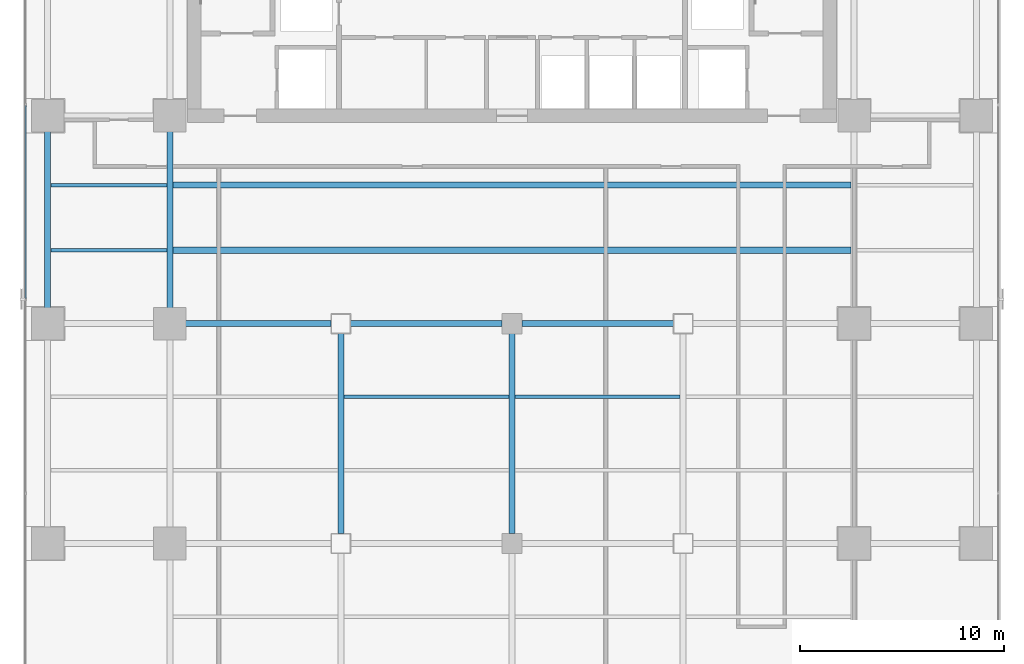
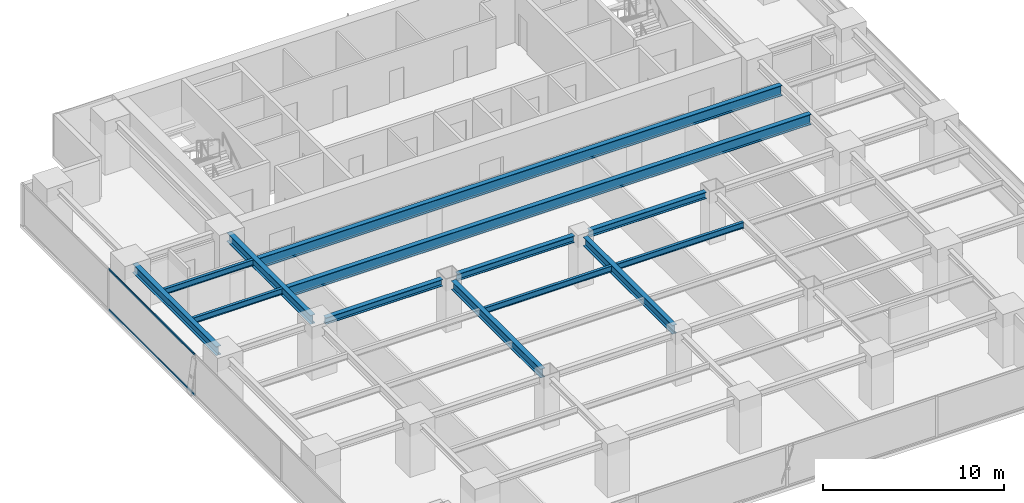
# One storey, part 8 of 27: 13 beams, 2 members, 1 element without a shape of its own.
"""IFC4 building model written with IfcOpenShell, lengths in metres."""

from ifc_helpers import new_model, si_unit, direction, frame, origin, origin_2d, place, context, subcontext, project, spatial, hollow_rectangle, i_section, extrude, source, transform, mapped, material, layer, layer_set, material_profile, profile_set, type_object, element, aggregate, save


model = new_model("IFC4")

# Units and contexts
model_context = context("Model", 3, precision=1e-05, world=origin(), true_north=direction((0.0, 1.0)))
body_context = subcontext(model_context, "Body", "Model", "MODEL_VIEW")
ifc_project = project(units=[si_unit("LENGTHUNIT", "METRE"), si_unit("AREAUNIT", "SQUARE_METRE"), si_unit("VOLUMEUNIT", "CUBIC_METRE"), si_unit("PLANEANGLEUNIT", "RADIAN"), si_unit("MASSUNIT", "GRAM", prefix="KILO")], contexts=[model_context])

# Site, building, storey
site_placement = place(None, origin())
site = spatial("IfcSite", under=ifc_project, at=site_placement, CompositionType="ELEMENT")
building_placement = place(site_placement, origin())
building = spatial("IfcBuilding", under=site, at=building_placement, Name="Sumidabori Civic Tower", CompositionType="ELEMENT")
storey_placement = place(building_placement, frame((0.0, 0.0, 164.0)))
storey = spatial("IfcBuildingStorey", under=building, at=storey_placement, Name="L42", CompositionType="ELEMENT", Elevation=164.0)

# Beams
ifc_material_1 = material(Name="Steel SN490", Category="steel")
ifc_material_profile_1 = material_profile(ifc_material_1, i_section(OverallWidth=0.300048828125, OverallDepth=0.60009765625, WebThickness=0.015380859375, FlangeThickness=0.030029296875, at=origin_2d()), Name="HE 600 B")
ifc_profile_set_1 = profile_set([ifc_material_profile_1], Name="Steel SN490")
beam_type_1 = type_object("IfcBeamType", Name="BM-GIRD-600", PredefinedType="BEAM", material=ifc_profile_set_1)
shared_shape_1 = source(origin(), body_context, "Body", "SweptSolid", [
    extrude(i_section(OverallWidth=0.300048828125, OverallDepth=0.60009765625, WebThickness=0.015380859375, FlangeThickness=0.030029296875, at=origin_2d()), origin(), (0.0, 0.0, 1.0), 9.840087890625),
])
for number, where, z_axis, x_axis, name in (
    (1, (-8.39990234375, -10.320068359375, 3.080078125), (0.0, 1.0, 0.0), (-1.0, 0.0, 0.0), "Primary Girder L42 GY-27"),
    (2, (0.0, -10.320068359375, 3.080078125), (0.0, 1.0, 0.0), (-1.0, 0.0, 0.0), "Primary Girder L42 GY-29"),
):
    element("IfcBeam", number, at=place(storey_placement, frame(where, z_axis=z_axis, x_axis=x_axis)), inside=storey, type_object=beam_type_1, Name=name, PredefinedType="BEAM", context=body_context, shape_type="MappedRepresentation", body=[
        mapped(shared_shape_1, transform((0.0, 0.0, 0.0), x_axis=(1.0, 0.0, 0.0), y_axis=(0.0, 1.0, 0.0), z_axis=(0.0, 0.0, 1.0), scale=1.0)),
    ])
shared_shape_2 = source(origin(), body_context, "Body", "SweptSolid", [
    extrude(i_section(OverallWidth=0.300048828125, OverallDepth=0.60009765625, WebThickness=0.015380859375, FlangeThickness=0.030029296875, at=origin_2d()), origin(), (0.0, 0.0, 1.0), 9.239990234375),
])
for number, where, z_axis, x_axis, name in (
    (3, (-22.800048828125, 0.47998046875, 3.080078125), (0.0, 1.0, 0.0), (-1.0, 0.0, 0.0), "Primary Girder L42 GY-20"),
    (4, (-16.800048828125, 0.47998046875, 3.080078125), (0.0, 1.0, 0.0), (-1.0, 0.0, 0.0), "Primary Girder L42 GY-24"),
):
    element("IfcBeam", number, at=place(storey_placement, frame(where, z_axis=z_axis, x_axis=x_axis)), inside=storey, type_object=beam_type_1, Name=name, PredefinedType="BEAM", context=body_context, shape_type="MappedRepresentation", body=[
        mapped(shared_shape_2, transform((0.0, 0.0, 0.0), x_axis=(1.0, 0.0, 0.0), y_axis=(0.0, 1.0, 0.0), z_axis=(0.0, 0.0, 1.0), scale=1.0)),
    ])
ifc_material_profile_2 = material_profile(ifc_material_1, i_section(OverallWidth=0.300048828125, OverallDepth=0.699951171875, WebThickness=0.01708984375, FlangeThickness=0.031982421875, at=origin_2d()), Name="HE 700 B")
ifc_profile_set_2 = profile_set([ifc_material_profile_2], Name="Steel SN490")
beam_type_2 = type_object("IfcBeamType", Name="BM-GIRD-700", PredefinedType="BEAM", material=ifc_profile_set_2)
shared_shape_3 = source(origin(), body_context, "Body", "SweptSolid", [
    extrude(i_section(OverallWidth=0.300048828125, OverallDepth=0.699951171875, WebThickness=0.01708984375, FlangeThickness=0.031982421875, at=origin_2d()), origin(), (0.0, 0.0, 1.0), 33.2998046875),
])
for number, where, z_axis, x_axis, name in (
    (5, (-16.64990234375, 3.60009765625, 3.030029296875), (1.0, 0.0, 0.0), (0.0, 1.0, 0.0), "North Bay Floor Beam L42 JSTN-47"),
    (6, (-16.64990234375, 6.800048828125, 3.030029296875), (1.0, 0.0, 0.0), (0.0, 1.0, 0.0), "North Bay Floor Beam L42 JSTN-48"),
):
    element("IfcBeam", number, at=place(storey_placement, frame(where, z_axis=z_axis, x_axis=x_axis)), inside=storey, type_object=beam_type_2, Name=name, PredefinedType="BEAM", context=body_context, shape_type="MappedRepresentation", body=[
        mapped(shared_shape_3, transform((0.0, 0.0, 0.0), x_axis=(1.0, 0.0, 0.0), y_axis=(0.0, 1.0, 0.0), z_axis=(0.0, 0.0, 1.0), scale=1.0)),
    ])
ifc_material_profile_3 = material_profile(ifc_material_1, i_section(OverallWidth=0.179931640625, OverallDepth=0.39990234375, WebThickness=0.008544921875, FlangeThickness=0.013427734375, at=origin_2d()), Name="IPE 400")
ifc_profile_set_3 = profile_set([ifc_material_profile_3], Name="Steel SN490")
beam_type_3 = type_object("IfcBeamType", Name="BM-JST-400", PredefinedType="JOIST", material=ifc_profile_set_3)
shared_shape_4 = source(origin(), body_context, "Body", "SweptSolid", [
    extrude(i_section(OverallWidth=0.179931640625, OverallDepth=0.39990234375, WebThickness=0.008544921875, FlangeThickness=0.013427734375, at=origin_2d()), origin(), (0.0, 0.0, 1.0), 5.699951171875),
])
for number, where, z_axis, x_axis, name in (
    (7, (-22.64990234375, 3.60009765625, 3.179931640625), (1.0, 0.0, 0.0), (0.0, 1.0, 0.0), "Outer Bay Floor Joist L42 JSTO-43"),
    (8, (-22.64990234375, 6.800048828125, 3.179931640625), (1.0, 0.0, 0.0), (0.0, 1.0, 0.0), "Outer Bay Floor Joist L42 JSTO-45"),
):
    element("IfcBeam", number, at=place(storey_placement, frame(where, z_axis=z_axis, x_axis=x_axis)), inside=storey, type_object=beam_type_3, Name=name, PredefinedType="JOIST", context=body_context, shape_type="MappedRepresentation", body=[
        mapped(shared_shape_4, transform((0.0, 0.0, 0.0), x_axis=(1.0, 0.0, 0.0), y_axis=(0.0, 1.0, 0.0), z_axis=(0.0, 0.0, 1.0), scale=1.0)),
    ])
shared_shape_5 = source(origin(), body_context, "Body", "SweptSolid", [
    extrude(i_section(OverallWidth=0.179931640625, OverallDepth=0.39990234375, WebThickness=0.008544921875, FlangeThickness=0.013427734375, at=origin_2d()), origin(), (0.0, 0.0, 1.0), 8.10009765625),
])
for number, where, z_axis, x_axis, name in (
    (9, (-8.25, -3.60009765625, 3.179931640625), (1.0, 0.0, 0.0), (0.0, 1.0, 0.0), "South Bay Floor Joist L42 JSTS-58"),
    (10, (0.14990234375, -3.60009765625, 3.179931640625), (1.0, 0.0, 0.0), (0.0, 1.0, 0.0), "South Bay Floor Joist L42 JSTS-59"),
):
    element("IfcBeam", number, at=place(storey_placement, frame(where, z_axis=z_axis, x_axis=x_axis)), inside=storey, type_object=beam_type_3, Name=name, PredefinedType="JOIST", context=body_context, shape_type="MappedRepresentation", body=[
        mapped(shared_shape_5, transform((0.0, 0.0, 0.0), x_axis=(1.0, 0.0, 0.0), y_axis=(0.0, 1.0, 0.0), z_axis=(0.0, 0.0, 1.0), scale=1.0)),
    ])
ifc_material_profile_4 = material_profile(ifc_material_1, i_section(OverallWidth=0.300048828125, OverallDepth=0.449951171875, WebThickness=0.013916015625, FlangeThickness=0.02587890625, at=origin_2d()), Name="HE 450 B")
ifc_profile_set_4 = profile_set([ifc_material_profile_4], Name="Steel SN490")
beam_type_4 = type_object("IfcBeamType", Name="BM-GIRD-450", PredefinedType="BEAM", material=ifc_profile_set_4)
shared_shape_6 = source(origin(), body_context, "Body", "SweptSolid", [
    extrude(i_section(OverallWidth=0.300048828125, OverallDepth=0.449951171875, WebThickness=0.013916015625, FlangeThickness=0.02587890625, at=origin_2d()), origin(), (0.0, 0.0, 1.0), 7.440185546875),
])
beam_placement = place(storey_placement, frame((-16.320068359375, 0.0, 3.155029296875), z_axis=(1.0, 0.0, 0.0), x_axis=(0.0, 1.0, 0.0)))
element("IfcBeam", 11, at=beam_placement, inside=storey, type_object=beam_type_4, Name="Primary Girder L42 GX-12", PredefinedType="BEAM", context=body_context, shape_type="MappedRepresentation", body=[
    mapped(shared_shape_6, transform((0.0, 0.0, 0.0), x_axis=(1.0, 0.0, 0.0), y_axis=(0.0, 1.0, 0.0), z_axis=(0.0, 0.0, 1.0), scale=1.0)),
])
shared_shape_7 = source(origin(), body_context, "Body", "SweptSolid", [
    extrude(i_section(OverallWidth=0.300048828125, OverallDepth=0.449951171875, WebThickness=0.013916015625, FlangeThickness=0.02587890625, at=origin_2d()), origin(), (0.0, 0.0, 1.0), 7.43994140625),
])
for number, where, z_axis, x_axis, name in (
    (12, (-7.919921875, 0.0, 3.155029296875), (1.0, 0.0, 0.0), (0.0, 1.0, 0.0), "Primary Girder L42 GX-13"),
    (13, (0.47998046875, 0.0, 3.155029296875), (1.0, 0.0, 0.0), (0.0, 1.0, 0.0), "Primary Girder L42 GX-14"),
):
    element("IfcBeam", number, at=place(storey_placement, frame(where, z_axis=z_axis, x_axis=x_axis)), inside=storey, type_object=beam_type_4, Name=name, PredefinedType="BEAM", context=body_context, shape_type="MappedRepresentation", body=[
        mapped(shared_shape_7, transform((0.0, 0.0, 0.0), x_axis=(1.0, 0.0, 0.0), y_axis=(0.0, 1.0, 0.0), z_axis=(0.0, 0.0, 1.0), scale=1.0)),
    ])

# Curtain wall, members
ifc_material_2 = material(Name="Anodised Bronze Aluminium AW-6063-T6", Category="aluminium")
ifc_layer = layer(ifc_material_2, 0.179931640625, Name="Anodised Bronze Aluminium AW-6063-T6")
ifc_layer_set = layer_set([ifc_layer], Name="Anodised Bronze Aluminium AW-6063-T6")
curtain_wall_type = type_object("IfcCurtainWallType", Name="CW-SYS-3", PredefinedType="NOTDEFINED", material=ifc_layer_set)
curtain_wall_placement = place(storey_placement, origin())
curtain_wall = element("IfcCurtainWall", 14, at=curtain_wall_placement, inside=storey, type_object=curtain_wall_type, Name="Curtain Wall CW:L42:R10", PredefinedType="NOTDEFINED")
ifc_material_profile_5 = material_profile(ifc_material_2, hollow_rectangle(XDim=0.06005859375, YDim=0.1298828125, WallThickness=0.0048828125, at=origin_2d()), Name="ALU TRANSOM 130x60")
ifc_profile_set_5 = profile_set([ifc_material_profile_5], Name="Anodised Bronze Aluminium AW-6063-T6")
member_type = type_object("IfcMemberType", Name="CW-TRN-130", PredefinedType="USERDEFINED", material=ifc_profile_set_5)
shared_shape_8 = source(origin(), body_context, "Body", "SweptSolid", [
    extrude(hollow_rectangle(XDim=0.06005859375, YDim=0.1298828125, WallThickness=0.0048828125, at=origin_2d()), origin(), (0.0, 0.0, 1.0), 9.469970703125),
])
member_1_placement = place(storey_placement, frame((-23.8798828125, 10.702392578125, 0.030029296875), z_axis=(0.0, -1.0, 0.0), x_axis=(1.0, 0.0, 0.0)))
member_1 = element("IfcMember", 15, at=member_1_placement, type_object=member_type, Name="CW-3 transom 2.1", ObjectType="TRANSOM", PredefinedType="USERDEFINED", context=body_context, shape_type="MappedRepresentation", body=[
    mapped(shared_shape_8, transform((0.0, 0.0, 0.0), x_axis=(1.0, 0.0, 0.0), y_axis=(0.0, 1.0, 0.0), z_axis=(0.0, 0.0, 1.0), scale=1.0)),
])
member_2_placement = place(storey_placement, frame((-23.8798828125, 10.702392578125, 2.72998046875), z_axis=(0.0, -1.0, 0.0), x_axis=(1.0, 0.0, 0.0)))
member_2 = element("IfcMember", 16, at=member_2_placement, type_object=member_type, Name="CW-3 transom 2.2", ObjectType="TRANSOM", PredefinedType="USERDEFINED", context=body_context, shape_type="MappedRepresentation", body=[
    mapped(shared_shape_8, transform((0.0, 0.0, 0.0), x_axis=(1.0, 0.0, 0.0), y_axis=(0.0, 1.0, 0.0), z_axis=(0.0, 0.0, 1.0), scale=1.0)),
])
aggregate(curtain_wall, [member_1, member_2])

save(model, "model.ifc")
